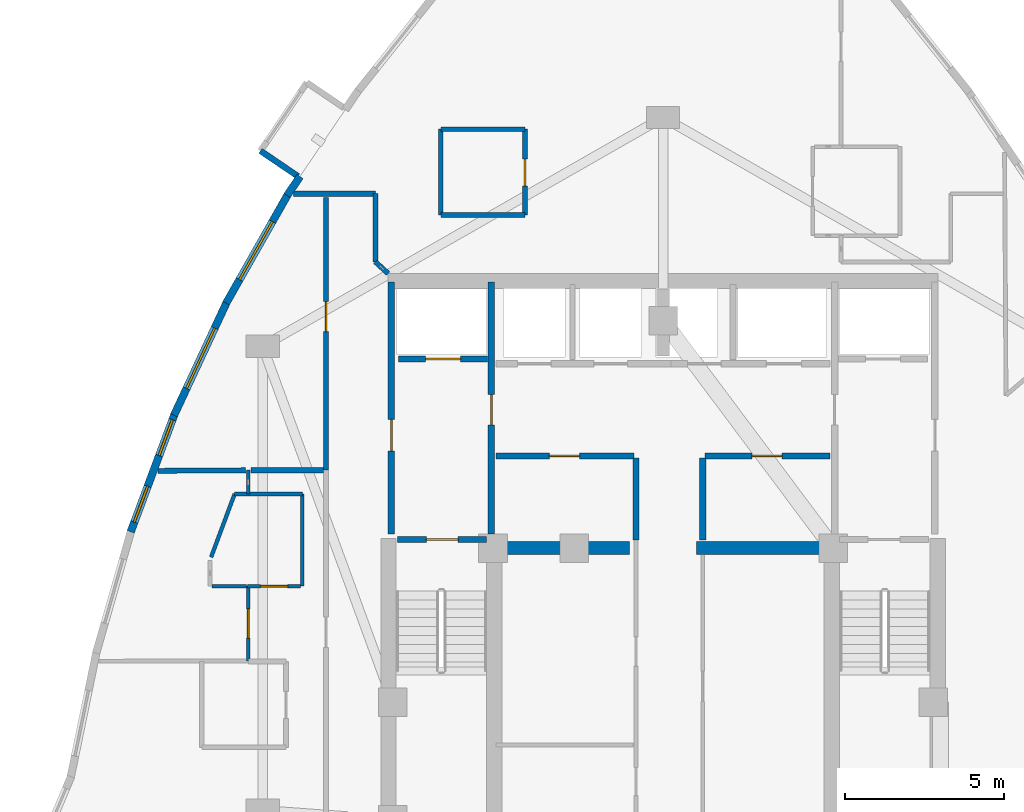
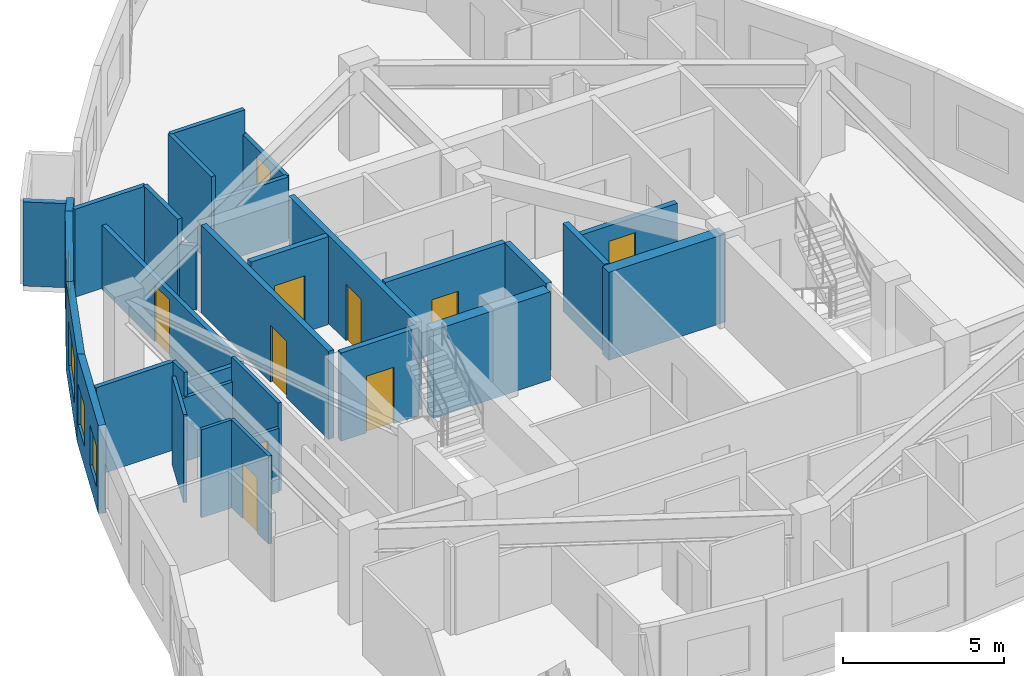
# One storey, part 9 of 13: 32 walls, 10 doors, 4 windows, 14 openings.
"""IFC4 building model written with IfcOpenShell, lengths in metres."""

from ifc_helpers import new_model, si_unit, direction, frame, frame_2d, origin, place, context, subcontext, project, spatial, rectangle, extrude, material, layer, layer_set, type_object, element, fill, save


model = new_model("IFC4")

# Units and contexts
model_context = context("Model", 3, precision=1e-05, world=origin(), true_north=direction((0.0, 1.0)))
body_context = subcontext(model_context, "Body", "Model", "MODEL_VIEW")
ifc_project = project(units=[si_unit("LENGTHUNIT", "METRE"), si_unit("AREAUNIT", "SQUARE_METRE"), si_unit("VOLUMEUNIT", "CUBIC_METRE"), si_unit("PLANEANGLEUNIT", "RADIAN"), si_unit("MASSUNIT", "GRAM", prefix="KILO")], contexts=[model_context])

# Site, building, storey
site_placement = place(None, origin())
site = spatial("IfcSite", under=ifc_project, at=site_placement, CompositionType="ELEMENT")
building_placement = place(site_placement, origin())
building = spatial("IfcBuilding", under=site, at=building_placement, Name="Miruveldt Soraemaru", CompositionType="ELEMENT")
storey_placement = place(building_placement, frame((0.0, 0.0, 205.199951171875)))
storey = spatial("IfcBuildingStorey", under=building, at=storey_placement, Name="L56", CompositionType="ELEMENT", Elevation=205.199951171875)

# Walls
ifc_material_1 = material(Name="White powder-coated aluminium EN AW-6060 T6", Category="aluminium")
ifc_layer_1 = layer(ifc_material_1, 0.18994140625, Name="White powder-coated aluminium EN AW-6060 T6", Category="aluminium")
ifc_layer_set_1 = layer_set([ifc_layer_1], Name="White powder-coated aluminium EN AW-6060 T6")
wall_type_1 = type_object("IfcWallType", Name="WALL-BAY-ALU190", PredefinedType="SOLIDWALL", material=ifc_layer_set_1)
wall_1_placement = place(storey_placement, frame((31.33349609375, 56.547119140625, 0.0), z_axis=(0.0, 0.0, 1.0), x_axis=(0.827862228344, -0.560931485016, 0.0)))
element("IfcWall", 1, at=wall_1_placement, inside=storey, type_object=wall_type_1, Name="L56 Bay Window Side Cheek 1R", PredefinedType="SOLIDWALL", context=body_context, shape_type="SweptSolid", body=[
    extrude(rectangle(XDim=1.425048828125, YDim=0.18994140625, at=frame_2d((0.71240234375, 0.0))), origin(), (0.0, 0.0, 1.0), 3.195068359375),
])
ifc_material_2 = material(Name="Concrete C70/85 (70 MPa)", Category="concrete")
ifc_layer_2 = layer(ifc_material_2, 0.5, Name="Concrete C70/85 (70 MPa)", Category="concrete")
ifc_layer_set_2 = layer_set([ifc_layer_2], Name="Concrete C70/85 (70 MPa)")
wall_type_2 = type_object("IfcWallType", Name="WALL-BW-500", PredefinedType="SHEAR", material=ifc_layer_set_2)
for number, where, z_axis, x_axis, name in (
    (2, (38.75, 44.050048828125, 0.0), (0.0, 0.0, 1.0), (1.0, 0.0, 0.0), "L56 Core Buttress Shear Wall BW"),
    (3, (45.050048828125, 44.050048828125, 0.0), (0.0, 0.0, 1.0), (1.0, 0.0, 0.0), "L56 Core Buttress Shear Wall BE"),
):
    element("IfcWall", number, at=place(storey_placement, frame(where, z_axis=z_axis, x_axis=x_axis)), inside=storey, type_object=wall_type_2, Name=name, PredefinedType="SHEAR", context=body_context, shape_type="SweptSolid", body=[
        extrude(rectangle(XDim=4.199951171875, YDim=0.39990234375, at=frame_2d((2.10009765625, 0.0))), origin(), (0.0, 0.0, 1.0), 3.344970703125),
    ])
ifc_material_3 = material(Name="Precast concrete C45/55 (45 MPa)", Category="concrete")
ifc_layer_3 = layer(ifc_material_3, 0.239990234375, Name="Precast concrete C45/55 (45 MPa)", Category="concrete")
ifc_layer_set_3 = layer_set([ifc_layer_3], Name="Precast concrete C45/55 (45 MPa)")
wall_type_3 = type_object("IfcWallType", Name="WALL-EXT-PC240", PredefinedType="SOLIDWALL", material=ifc_layer_set_3)
wall_2_placement = place(storey_placement, frame((32.575439453125, 55.74169921875, 0.0), z_axis=(0.0, 0.0, 1.0), x_axis=(-0.560765978718, -0.827974345685, 0.0)))
element("IfcWall", 4, at=wall_2_placement, inside=storey, type_object=wall_type_3, Name="L56 Precast Pier Wall 9B", PredefinedType="SOLIDWALL", context=body_context, shape_type="SweptSolid", body=[
    extrude(rectangle(XDim=0.72265625, YDim=0.239990234375, at=frame_2d((0.361328125, 0.0))), origin(), (0.0, 0.0, 1.0), 3.344970703125),
])

# Wall, opening, window
wall_3_placement = place(storey_placement, frame((32.20703125, 55.20263671875, 0.0), z_axis=(0.0, 0.0, 1.0), x_axis=(-0.493374910117, -0.869816761202, 0.0)))
wall_3 = element("IfcWall", 5, at=wall_3_placement, inside=storey, type_object=wall_type_3, Name="L56 Precast Concrete Facade Wall 10", PredefinedType="SOLIDWALL", context=body_context, shape_type="SweptSolid", body=[
    extrude(rectangle(XDim=3.960693359375, YDim=0.239990234375, at=frame_2d((1.98046875, 0.0))), origin(), (0.0, 0.0, 1.0), 3.344970703125),
])
opening_1_placement = place(wall_3_placement, frame((1.010986328125, 0.0, 0.800048828125)))
opening_1 = element("IfcOpeningElement", 6, at=opening_1_placement, cuts=wall_3, Name="Opening WN-1", PredefinedType="OPENING", context=body_context, shape_type="SweptSolid", body=[
    extrude(rectangle(XDim=2.10009765625, YDim=1.699951171875, at=frame_2d((1.050048828125, 0.85009765625))), frame((0.0, 0.1298828125, 0.0), z_axis=(0.0, -1.0, 0.0), x_axis=(1.0, 0.0, 0.0)), (0.0, 0.0, 1.0), 0.260009765625),
])
ifc_material_4 = material(Name="Triple low-e insulated glazing", Category="glass")
window_type_1 = type_object("IfcWindowType", Name="WIN-PUNCH-2100x1700", PartitioningType="SINGLE_PANEL", PredefinedType="WINDOW", material=ifc_material_4)
window_1_placement = place(opening_1_placement, origin())
window_1 = element("IfcWindow", 7, at=window_1_placement, inside=storey, type_object=window_type_1, Name="L56 Punched Triple-Glazed Window 10.1", OverallHeight=1.699951171875, OverallWidth=2.10009765625, PartitioningType="SINGLE_PANEL", PredefinedType="WINDOW", context=body_context, shape_type="SweptSolid", body=[
    extrude(rectangle(XDim=2.10009765625, YDim=1.699951171875, at=frame_2d((1.050048828125, 0.85009765625))), frame((0.0, 0.030029296875, 0.0), z_axis=(0.0, -1.0, 0.0), x_axis=(1.0, 0.0, 0.0)), (0.0, 0.0, 1.0), 0.06005859375),
])
fill(opening_1, window_1)

wall_4_placement = place(storey_placement, frame((30.28515625, 51.819580078125, 0.0), z_axis=(0.0, 0.0, 1.0), x_axis=(-0.422311701836, -0.906450675157, 0.0)))
wall_4 = element("IfcWall", 8, at=wall_4_placement, inside=storey, type_object=wall_type_3, Name="L56 Precast Concrete Facade Wall 11", PredefinedType="SOLIDWALL", context=body_context, shape_type="SweptSolid", body=[
    extrude(rectangle(XDim=3.960693359375, YDim=0.239990234375, at=frame_2d((1.98046875, 0.0))), origin(), (0.0, 0.0, 1.0), 3.344970703125),
])
opening_2_placement = place(wall_4_placement, frame((0.930908203125, 0.0, 0.800048828125)))
opening_2 = element("IfcOpeningElement", 9, at=opening_2_placement, cuts=wall_4, Name="Opening WN-1", PredefinedType="OPENING", context=body_context, shape_type="SweptSolid", body=[
    extrude(rectangle(XDim=2.10009765625, YDim=1.699951171875, at=frame_2d((1.050048828125, 0.85009765625))), frame((0.0, 0.1298828125, 0.0), z_axis=(0.0, -1.0, 0.0), x_axis=(1.0, 0.0, 0.0)), (0.0, 0.0, 1.0), 0.260009765625),
])
window_2_placement = place(opening_2_placement, origin())
window_2 = element("IfcWindow", 10, at=window_2_placement, inside=storey, type_object=window_type_1, Name="L56 Punched Triple-Glazed Window 11.1", OverallHeight=1.699951171875, OverallWidth=2.10009765625, PartitioningType="SINGLE_PANEL", PredefinedType="WINDOW", context=body_context, shape_type="SweptSolid", body=[
    extrude(rectangle(XDim=2.10009765625, YDim=1.699951171875, at=frame_2d((1.050048828125, 0.85009765625))), frame((0.0, 0.030029296875, 0.0), z_axis=(0.0, -1.0, 0.0), x_axis=(1.0, 0.0, 0.0)), (0.0, 0.0, 1.0), 0.06005859375),
])
fill(opening_2, window_2)

# Wall, openings, windows
wall_5_placement = place(storey_placement, frame((28.639404296875, 48.294189453125, 0.0), z_axis=(0.0, 0.0, 1.0), x_axis=(-0.348967690972, -0.937134755869, 0.0)))
wall_5 = element("IfcWall", 11, at=wall_5_placement, inside=storey, type_object=wall_type_3, Name="L56 Precast Concrete Facade Wall 12", PredefinedType="SOLIDWALL", context=body_context, shape_type="SweptSolid", body=[
    extrude(rectangle(XDim=3.985595703125, YDim=0.239990234375, at=frame_2d((1.99267578125, 0.0))), origin(), (0.0, 0.0, 1.0), 3.344970703125),
])
opening_3_placement = place(wall_5_placement, frame((0.222900390625, 0.0, 0.780029296875)))
opening_3 = element("IfcOpeningElement", 12, at=opening_3_placement, cuts=wall_5, Name="Opening WN-4", PredefinedType="OPENING", context=body_context, shape_type="SweptSolid", body=[
    extrude(rectangle(XDim=1.199951171875, YDim=1.550048828125, at=frame_2d((0.60009765625, 0.77490234375))), frame((0.0, 0.1298828125, 0.0), z_axis=(0.0, -1.0, 0.0), x_axis=(1.0, 0.0, 0.0)), (0.0, 0.0, 1.0), 0.260009765625),
])
opening_4_placement = place(wall_5_placement, frame((2.4560546875, 0.0, 0.780029296875)))
opening_4 = element("IfcOpeningElement", 13, at=opening_4_placement, cuts=wall_5, Name="Opening WN-4", PredefinedType="OPENING", context=body_context, shape_type="SweptSolid", body=[
    extrude(rectangle(XDim=1.199951171875, YDim=1.550048828125, at=frame_2d((0.60009765625, 0.77490234375))), frame((0.0, 0.1298828125, 0.0), z_axis=(0.0, -1.0, 0.0), x_axis=(1.0, 0.0, 0.0)), (0.0, 0.0, 1.0), 0.260009765625),
])
window_type_2 = type_object("IfcWindowType", Name="WIN-PUNCH-1200x1550", PartitioningType="SINGLE_PANEL", PredefinedType="WINDOW", material=ifc_material_4)
window_3_placement = place(opening_3_placement, origin())
window_3 = element("IfcWindow", 14, at=window_3_placement, inside=storey, type_object=window_type_2, Name="L56 Punched Triple-Glazed Window 12.1", OverallHeight=1.550048828125, OverallWidth=1.199951171875, PartitioningType="SINGLE_PANEL", PredefinedType="WINDOW", context=body_context, shape_type="SweptSolid", body=[
    extrude(rectangle(XDim=1.199951171875, YDim=1.550048828125, at=frame_2d((0.60009765625, 0.77490234375))), frame((0.0, 0.030029296875, 0.0), z_axis=(0.0, -1.0, 0.0), x_axis=(1.0, 0.0, 0.0)), (0.0, 0.0, 1.0), 0.06005859375),
])
fill(opening_3, window_3)
window_4_placement = place(opening_4_placement, origin())
window_4 = element("IfcWindow", 15, at=window_4_placement, inside=storey, type_object=window_type_2, Name="L56 Punched Triple-Glazed Window 12.2", OverallHeight=1.550048828125, OverallWidth=1.199951171875, PartitioningType="SINGLE_PANEL", PredefinedType="WINDOW", context=body_context, shape_type="SweptSolid", body=[
    extrude(rectangle(XDim=1.199951171875, YDim=1.550048828125, at=frame_2d((0.60009765625, 0.77490234375))), frame((0.0, 0.030029296875, 0.0), z_axis=(0.0, -1.0, 0.0), x_axis=(1.0, 0.0, 0.0)), (0.0, 0.0, 1.0), 0.06005859375),
])
fill(opening_4, window_4)

# Wall, opening, door
ifc_material_5 = material(Name="Gypsum plasterboard lining", Category="gypsum")
ifc_layer_4 = layer(ifc_material_5, 0.1201171875, Name="Gypsum plasterboard lining", Category="gypsum")
ifc_layer_set_4 = layer_set([ifc_layer_4], Name="Gypsum plasterboard lining")
wall_type_4 = type_object("IfcWallType", Name="WALL-INT-P120", PredefinedType="PARTITIONING", material=ifc_layer_set_4)
wall_6_placement = place(storey_placement, frame((30.949951171875, 42.85009765625, 0.0), z_axis=(0.0, 0.0, 1.0), x_axis=(0.0, -1.0, 0.0)))
wall_6 = element("IfcWall", 16, at=wall_6_placement, inside=storey, type_object=wall_type_4, Name="L56 Partition Wall 39", PredefinedType="PARTITIONING", context=body_context, shape_type="SweptSolid", body=[
    extrude(rectangle(XDim=2.34814453125, YDim=0.1201171875, at=frame_2d((1.174072265625, 0.0))), origin(), (0.0, 0.0, 1.0), 3.344970703125),
])
opening_5_placement = place(wall_6_placement, frame((0.714111328125, 0.0, 0.0)))
opening_5 = element("IfcOpeningElement", 17, at=opening_5_placement, cuts=wall_6, Name="Opening D3A", PredefinedType="OPENING", context=body_context, shape_type="SweptSolid", body=[
    extrude(rectangle(XDim=0.919921875, YDim=2.10009765625, at=frame_2d((0.4599609375, 1.050048828125))), frame((0.0, 0.070068359375, 0.0), z_axis=(0.0, -1.0, 0.0), x_axis=(1.0, 0.0, 0.0)), (0.0, 0.0, 1.0), 0.14013671875),
])
ifc_material_6 = material(Name="Anodised aluminium EN AW-6063 T6", Category="aluminium")
door_type_1 = type_object("IfcDoorType", Name="DOOR-INT-920", OperationType="NOTDEFINED", PredefinedType="DOOR", material=ifc_material_6)
door_1_placement = place(opening_5_placement, origin())
door_1 = element("IfcDoor", 18, at=door_1_placement, inside=storey, type_object=door_type_1, Name="L56 Unit 5603 BD1 Door", OperationType="SINGLE_SWING_LEFT", OverallHeight=2.10009765625, OverallWidth=0.919921875, PredefinedType="DOOR", context=body_context, shape_type="SweptSolid", body=[
    extrude(rectangle(XDim=0.919921875, YDim=2.10009765625, at=frame_2d((0.4599609375, 1.050048828125))), frame((0.0, 0.02490234375, 0.0), z_axis=(0.0, -1.0, 0.0), x_axis=(1.0, 0.0, 0.0)), (0.0, 0.0, 1.0), 0.050048828125),
])
fill(opening_5, door_1)

wall_7_placement = place(storey_placement, frame((32.590087890625, 42.85009765625, 0.0), z_axis=(0.0, 0.0, 1.0), x_axis=(-1.0, 0.0, 0.0)))
wall_7 = element("IfcWall", 19, at=wall_7_placement, inside=storey, type_object=wall_type_4, Name="L56 Partition Wall 36", PredefinedType="PARTITIONING", context=body_context, shape_type="SweptSolid", body=[
    extrude(rectangle(XDim=1.670166015625, YDim=0.1201171875, at=frame_2d((0.8349609375, 0.0))), origin(), (0.0, 0.0, 1.0), 2.43310546875),
])
opening_6_placement = place(wall_7_placement, frame((0.405029296875, 0.0, 0.0)))
opening_6 = element("IfcOpeningElement", 20, at=opening_6_placement, cuts=wall_7, Name="Opening FD3", PredefinedType="OPENING", context=body_context, shape_type="SweptSolid", body=[
    extrude(rectangle(XDim=0.85009765625, YDim=2.10009765625, at=frame_2d((0.425048828125, 1.050048828125))), frame((0.0, 0.070068359375, 0.0), z_axis=(0.0, -1.0, 0.0), x_axis=(1.0, 0.0, 0.0)), (0.0, 0.0, 1.0), 0.14013671875),
])
door_type_2 = type_object("IfcDoorType", Name="DOOR-FD3-850", OperationType="NOTDEFINED", PredefinedType="DOOR", material=ifc_material_6)
door_2_placement = place(opening_6_placement, origin())
door_2 = element("IfcDoor", 21, at=door_2_placement, inside=storey, type_object=door_type_2, Name="L56 Unit 5603 KIT Door", OperationType="SINGLE_SWING_RIGHT", OverallHeight=2.10009765625, OverallWidth=0.85009765625, PredefinedType="DOOR", context=body_context, shape_type="SweptSolid", body=[
    extrude(rectangle(XDim=0.85009765625, YDim=2.10009765625, at=frame_2d((0.425048828125, 1.050048828125))), frame((0.0, 0.02490234375, 0.0), z_axis=(0.0, -1.0, 0.0), x_axis=(1.0, 0.0, 0.0)), (0.0, 0.0, 1.0), 0.050048828125),
])
fill(opening_6, door_2)

# Walls
wall_8_placement = place(storey_placement, frame((32.64990234375, 45.75, 0.0), z_axis=(0.0, 0.0, 1.0), x_axis=(0.0, -1.0, 0.0)))
element("IfcWall", 22, at=wall_8_placement, inside=storey, type_object=wall_type_4, Name="L56 Partition Wall 37", PredefinedType="PARTITIONING", context=body_context, shape_type="SweptSolid", body=[
    extrude(rectangle(XDim=2.89990234375, YDim=0.1201171875, at=frame_2d((1.449951171875, 0.0))), origin(), (0.0, 0.0, 1.0), 3.344970703125),
])
wall_9_placement = place(storey_placement, frame((30.52001953125, 45.75, 0.0), z_axis=(0.0, 0.0, 1.0), x_axis=(1.0, 0.0, 0.0)))
element("IfcWall", 23, at=wall_9_placement, inside=storey, type_object=wall_type_4, Name="L56 Partition Wall 62", PredefinedType="PARTITIONING", context=body_context, shape_type="SweptSolid", body=[
    extrude(rectangle(XDim=2.1298828125, YDim=0.1201171875, at=frame_2d((1.06494140625, 0.0))), origin(), (0.0, 0.0, 1.0), 2.43310546875),
])
wall_10_placement = place(storey_placement, frame((30.52001953125, 45.75, 0.0), z_axis=(0.0, 0.0, 1.0), x_axis=(-0.3491407566, -0.937070291964, 0.0)))
element("IfcWall", 24, at=wall_10_placement, inside=storey, type_object=wall_type_4, Name="L56 Partition Wall 40", PredefinedType="PARTITIONING", context=body_context, shape_type="SweptSolid", body=[
    extrude(rectangle(XDim=2.119384765625, YDim=0.1201171875, at=frame_2d((1.0595703125, 0.0))), origin(), (0.0, 0.0, 1.0), 3.344970703125),
])
wall_11_placement = place(storey_placement, frame((29.81005859375, 42.85009765625, 0.0), z_axis=(0.0, 0.0, 1.0), x_axis=(1.0, 0.0, 0.0)))
element("IfcWall", 25, at=wall_11_placement, inside=storey, type_object=wall_type_4, Name="L56 Partition Wall 42", PredefinedType="PARTITIONING", context=body_context, shape_type="SweptSolid", body=[
    extrude(rectangle(XDim=1.079833984375, YDim=0.1201171875, at=frame_2d((0.5400390625, 0.0))), origin(), (0.0, 0.0, 1.0), 3.344970703125),
])
wall_12_placement = place(storey_placement, frame((30.949951171875, 46.5, 0.0), z_axis=(0.0, 0.0, 1.0), x_axis=(0.0, -1.0, 0.0)))
element("IfcWall", 26, at=wall_12_placement, inside=storey, type_object=wall_type_4, Name="L56 Partition Wall 38", PredefinedType="PARTITIONING", context=body_context, shape_type="SweptSolid", body=[
    extrude(rectangle(XDim=0.75, YDim=0.1201171875, at=frame_2d((0.375, 0.0))), origin(), (0.0, 0.0, 1.0), 3.344970703125),
])

# Wall, opening, door
ifc_layer_5 = layer(ifc_material_5, 0.14990234375, Name="Gypsum plasterboard lining", Category="gypsum")
ifc_layer_set_5 = layer_set([ifc_layer_5], Name="Gypsum plasterboard lining")
wall_type_5 = type_object("IfcWallType", Name="WALL-INT-PLUMB", PredefinedType="PLUMBINGWALL", material=ifc_layer_set_5)
wall_13_placement = place(storey_placement, frame((39.656982421875, 54.530029296875, 0.0), z_axis=(0.0, 0.0, 1.0), x_axis=(0.0, 1.0, 0.0)))
wall_13 = element("IfcWall", 27, at=wall_13_placement, inside=storey, type_object=wall_type_5, Name="L56 Partition Wall 12", PredefinedType="PLUMBINGWALL", context=body_context, shape_type="SweptSolid", body=[
    extrude(rectangle(XDim=2.699951171875, YDim=0.14990234375, at=frame_2d((1.35009765625, 0.0))), origin(), (0.0, 0.0, 1.0), 2.43310546875),
])
opening_7_placement = place(wall_13_placement, frame((0.909912109375, 0.0, 0.0)))
opening_7 = element("IfcOpeningElement", 28, at=opening_7_placement, cuts=wall_13, Name="Opening FD3", PredefinedType="OPENING", context=body_context, shape_type="SweptSolid", body=[
    extrude(rectangle(XDim=0.85009765625, YDim=2.10009765625, at=frame_2d((0.425048828125, 1.050048828125))), frame((0.0, 0.0849609375, 0.0), z_axis=(0.0, -1.0, 0.0), x_axis=(1.0, 0.0, 0.0)), (0.0, 0.0, 1.0), 0.169921875),
])
door_3_placement = place(opening_7_placement, origin())
door_3 = element("IfcDoor", 29, at=door_3_placement, inside=storey, type_object=door_type_2, Name="L56 Unit 5601 BTH Door", OperationType="SINGLE_SWING_RIGHT", OverallHeight=2.10009765625, OverallWidth=0.85009765625, PredefinedType="DOOR", context=body_context, shape_type="SweptSolid", body=[
    extrude(rectangle(XDim=0.85009765625, YDim=2.10009765625, at=frame_2d((0.425048828125, 1.050048828125))), frame((0.0, 0.02490234375, 0.0), z_axis=(0.0, -1.0, 0.0), x_axis=(1.0, 0.0, 0.0)), (0.0, 0.0, 1.0), 0.050048828125),
])
fill(opening_7, door_3)

# Walls
wall_14_placement = place(storey_placement, frame((37.007080078125, 57.22998046875, 0.0), z_axis=(0.0, 0.0, 1.0), x_axis=(0.0, -1.0, 0.0)))
element("IfcWall", 30, at=wall_14_placement, inside=storey, type_object=wall_type_5, Name="L56 Partition Wall 14", PredefinedType="PLUMBINGWALL", context=body_context, shape_type="SweptSolid", body=[
    extrude(rectangle(XDim=2.699951171875, YDim=0.14990234375, at=frame_2d((1.35009765625, 0.0))), origin(), (0.0, 0.0, 1.0), 3.344970703125),
])
wall_15_placement = place(storey_placement, frame((39.656982421875, 57.22998046875, 0.0), z_axis=(0.0, 0.0, 1.0), x_axis=(-1.0, 0.0, 0.0)))
element("IfcWall", 31, at=wall_15_placement, inside=storey, type_object=wall_type_5, Name="L56 Partition Wall 13", PredefinedType="PLUMBINGWALL", context=body_context, shape_type="SweptSolid", body=[
    extrude(rectangle(XDim=2.64990234375, YDim=0.14990234375, at=frame_2d((1.324951171875, 0.0))), origin(), (0.0, 0.0, 1.0), 3.344970703125),
])
wall_16_placement = place(storey_placement, frame((37.007080078125, 54.530029296875, 0.0), z_axis=(0.0, 0.0, 1.0), x_axis=(1.0, 0.0, 0.0)))
element("IfcWall", 32, at=wall_16_placement, inside=storey, type_object=wall_type_5, Name="L56 Partition Wall 15", PredefinedType="PLUMBINGWALL", context=body_context, shape_type="SweptSolid", body=[
    extrude(rectangle(XDim=2.64990234375, YDim=0.14990234375, at=frame_2d((1.324951171875, 0.0))), origin(), (0.0, 0.0, 1.0), 2.43310546875),
])

# Wall, opening, door
ifc_material_7 = material(Name="Concrete C40/50 (40 MPa)", Category="concrete")
ifc_layer_6 = layer(ifc_material_7, 0.159912109375, Name="Concrete C40/50 (40 MPa)", Category="concrete")
ifc_layer_set_6 = layer_set([ifc_layer_6], Name="Concrete C40/50 (40 MPa)")
wall_type_6 = type_object("IfcWallType", Name="WALL-INT-RC160", PredefinedType="SOLIDWALL", material=ifc_layer_set_6)
wall_17_placement = place(storey_placement, frame((33.39990234375, 55.080078125, 0.0), z_axis=(0.0, 0.0, 1.0), x_axis=(0.0, -1.0, 0.0)))
wall_17 = element("IfcWall", 33, at=wall_17_placement, inside=storey, type_object=wall_type_6, Name="L56 Partition Wall 3", PredefinedType="SOLIDWALL", context=body_context, shape_type="SweptSolid", body=[
    extrude(rectangle(XDim=8.5751953125, YDim=0.159912109375, at=frame_2d((4.28759765625, 0.0))), origin(), (0.0, 0.0, 1.0), 2.43310546875),
])
opening_8_placement = place(wall_17_placement, frame((3.27197265625, 0.0, 0.0)))
opening_8 = element("IfcOpeningElement", 34, at=opening_8_placement, cuts=wall_17, Name="Opening FD2", PredefinedType="OPENING", context=body_context, shape_type="SweptSolid", body=[
    extrude(rectangle(XDim=0.949951171875, YDim=2.14990234375, at=frame_2d((0.47509765625, 1.074951171875))), frame((0.0, 0.08984375, 0.0), z_axis=(0.0, -1.0, 0.0), x_axis=(1.0, 0.0, 0.0)), (0.0, 0.0, 1.0), 0.179931640625),
])
door_type_3 = type_object("IfcDoorType", Name="DOOR-FD2-950", OperationType="NOTDEFINED", PredefinedType="DOOR", material=ifc_material_6)
door_4_placement = place(opening_8_placement, origin())
door_4 = element("IfcDoor", 35, at=door_4_placement, inside=storey, type_object=door_type_3, Name="L56 Unit 5601 Entrance Fire Door", OperationType="SINGLE_SWING_LEFT", OverallHeight=2.14990234375, OverallWidth=0.949951171875, PredefinedType="DOOR", context=body_context, shape_type="SweptSolid", body=[
    extrude(rectangle(XDim=0.949951171875, YDim=2.14990234375, at=frame_2d((0.47509765625, 1.074951171875))), frame((0.0, 0.02490234375, 0.0), z_axis=(0.0, -1.0, 0.0), x_axis=(1.0, 0.0, 0.0)), (0.0, 0.0, 1.0), 0.050048828125),
])
fill(opening_8, door_4)

# Walls
wall_18_placement = place(storey_placement, frame((28.10791015625, 46.48095703125, 0.0), z_axis=(0.0, 0.0, 1.0), x_axis=(0.999978611163, 0.006540429311, 0.0)))
element("IfcWall", 36, at=wall_18_placement, inside=storey, type_object=wall_type_6, Name="L56 Partition Wall 22", PredefinedType="SOLIDWALL", context=body_context, shape_type="SweptSolid", body=[
    extrude(rectangle(XDim=2.76220703125, YDim=0.159912109375, at=frame_2d((1.381103515625, 0.0))), origin(), (0.0, 0.0, 1.0), 3.344970703125),
])
wall_19_placement = place(storey_placement, frame((34.949951171875, 55.199951171875, 0.0), z_axis=(0.0, 0.0, 1.0), x_axis=(-1.0, 0.0, 0.0)))
element("IfcWall", 37, at=wall_19_placement, inside=storey, type_object=wall_type_6, Name="L56 Partition Wall 2", PredefinedType="SOLIDWALL", context=body_context, shape_type="SweptSolid", body=[
    extrude(rectangle(XDim=2.577880859375, YDim=0.159912109375, at=frame_2d((1.2890625, 0.0))), origin(), (0.0, 0.0, 1.0), 3.344970703125),
])
wall_20_placement = place(storey_placement, frame((31.030029296875, 46.5, 0.0), z_axis=(0.0, 0.0, 1.0), x_axis=(1.0, 0.0, 0.0)))
element("IfcWall", 38, at=wall_20_placement, inside=storey, type_object=wall_type_6, Name="L56 Partition Wall 21", PredefinedType="SOLIDWALL", context=body_context, shape_type="SweptSolid", body=[
    extrude(rectangle(XDim=2.2900390625, YDim=0.159912109375, at=frame_2d((1.14501953125, 0.0))), origin(), (0.0, 0.0, 1.0), 2.43310546875),
])
wall_21_placement = place(storey_placement, frame((34.949951171875, 53.054931640625, 0.0), z_axis=(0.0, 0.0, 1.0), x_axis=(0.0, 1.0, 0.0)))
element("IfcWall", 39, at=wall_21_placement, inside=storey, type_object=wall_type_6, Name="L56 Partition Wall 1", PredefinedType="SOLIDWALL", context=body_context, shape_type="SweptSolid", body=[
    extrude(rectangle(XDim=2.14501953125, YDim=0.159912109375, at=frame_2d((1.072509765625, 0.0))), origin(), (0.0, 0.0, 1.0), 3.344970703125),
])
wall_22_placement = place(storey_placement, frame((34.949951171875, 53.054931640625, 0.0), z_axis=(0.0, 0.0, 1.0), x_axis=(0.738817210736, -0.673905875565, 0.0)))
element("IfcWall", 40, at=wall_22_placement, inside=storey, type_object=wall_type_6, Name="L56 Partition Closure Return 1", PredefinedType="SOLIDWALL", context=body_context, shape_type="SweptSolid", body=[
    extrude(rectangle(XDim=0.54150390625, YDim=0.159912109375, at=frame_2d((0.270751953125, 0.0))), origin(), (0.0, 0.0, 1.0), 2.43310546875),
])

# Wall, opening, door
ifc_layer_7 = layer(ifc_material_7, 0.199951171875, Name="Concrete C40/50 (40 MPa)", Category="concrete")
ifc_layer_set_7 = layer_set([ifc_layer_7], Name="Concrete C40/50 (40 MPa)")
wall_type_7 = type_object("IfcWallType", Name="WALL-INT-RC200", PredefinedType="SOLIDWALL", material=ifc_layer_set_7)
wall_23_placement = place(storey_placement, frame((35.449951171875, 44.5, 0.0), z_axis=(0.0, 0.0, 1.0), x_axis=(0.0, 1.0, 0.0)))
wall_23 = element("IfcWall", 41, at=wall_23_placement, inside=storey, type_object=wall_type_7, Name="L56 Core Compartment Wall FFW-OUT", PredefinedType="SOLIDWALL", context=body_context, shape_type="SweptSolid", body=[
    extrude(rectangle(XDim=7.919921875, YDim=0.199951171875, at=frame_2d((3.9599609375, 0.0))), origin(), (0.0, 0.0, 1.0), 3.344970703125),
])
opening_9_placement = place(wall_23_placement, frame((2.60009765625, 0.0, 0.0)))
opening_9 = element("IfcOpeningElement", 42, at=opening_9_placement, cuts=wall_23, Name="Opening FD1", PredefinedType="OPENING", context=body_context, shape_type="SweptSolid", body=[
    extrude(rectangle(XDim=1.0, YDim=2.14990234375, at=frame_2d((0.5, 1.074951171875))), frame((0.0, 0.10986328125, 0.0), z_axis=(0.0, -1.0, 0.0), x_axis=(1.0, 0.0, 0.0)), (0.0, 0.0, 1.0), 0.219970703125),
])
door_type_4 = type_object("IfcDoorType", Name="DOOR-FD1-1000", OperationType="NOTDEFINED", PredefinedType="DOOR", material=ifc_material_6)
door_5_placement = place(opening_9_placement, origin())
door_5 = element("IfcDoor", 43, at=door_5_placement, inside=storey, type_object=door_type_4, Name="L56 West Firefighting Lobby Exit Door", OperationType="SINGLE_SWING_LEFT", OverallHeight=2.14990234375, OverallWidth=1.0, PredefinedType="DOOR", context=body_context, shape_type="SweptSolid", body=[
    extrude(rectangle(XDim=1.0, YDim=2.14990234375, at=frame_2d((0.5, 1.074951171875))), frame((0.0, 0.02490234375, 0.0), z_axis=(0.0, -1.0, 0.0), x_axis=(1.0, 0.0, 0.0)), (0.0, 0.0, 1.0), 0.050048828125),
])
fill(opening_9, door_5)

wall_24_placement = place(storey_placement, frame((38.60009765625, 44.5, 0.0), z_axis=(0.0, 0.0, 1.0), x_axis=(0.0, 1.0, 0.0)))
wall_24 = element("IfcWall", 44, at=wall_24_placement, inside=storey, type_object=wall_type_7, Name="L56 Core Compartment Wall FFW-IN", PredefinedType="SOLIDWALL", context=body_context, shape_type="SweptSolid", body=[
    extrude(rectangle(XDim=7.919921875, YDim=0.199951171875, at=frame_2d((3.9599609375, 0.0))), origin(), (0.0, 0.0, 1.0), 3.344970703125),
])
opening_10_placement = place(wall_24_placement, frame((3.425048828125, 0.0, 0.0)))
opening_10 = element("IfcOpeningElement", 45, at=opening_10_placement, cuts=wall_24, Name="Opening FD2", PredefinedType="OPENING", context=body_context, shape_type="SweptSolid", body=[
    extrude(rectangle(XDim=0.949951171875, YDim=2.14990234375, at=frame_2d((0.47509765625, 1.074951171875))), frame((0.0, 0.10986328125, 0.0), z_axis=(0.0, -1.0, 0.0), x_axis=(1.0, 0.0, 0.0)), (0.0, 0.0, 1.0), 0.219970703125),
])
door_6_placement = place(opening_10_placement, frame((0.949951171875, 0.0, 0.0), z_axis=(0.0, 0.0, 1.0), x_axis=(-1.0, 0.0, 0.0)))
door_6 = element("IfcDoor", 46, at=door_6_placement, inside=storey, type_object=door_type_3, Name="L56 Lift Lobby to West Fire Lobby Door", OperationType="SINGLE_SWING_RIGHT", OverallHeight=2.14990234375, OverallWidth=0.949951171875, PredefinedType="DOOR", context=body_context, shape_type="SweptSolid", body=[
    extrude(rectangle(XDim=0.949951171875, YDim=2.14990234375, at=frame_2d((0.47509765625, 1.074951171875))), frame((0.0, 0.02490234375, 0.0), z_axis=(0.0, -1.0, 0.0), x_axis=(1.0, 0.0, 0.0)), (0.0, 0.0, 1.0), 0.050048828125),
])
fill(opening_10, door_6)

wall_25_placement = place(storey_placement, frame((38.75, 46.949951171875, 0.0), z_axis=(0.0, 0.0, 1.0), x_axis=(1.0, 0.0, 0.0)))
wall_25 = element("IfcWall", 47, at=wall_25_placement, inside=storey, type_object=wall_type_7, Name="L56 Core Compartment Wall MBW-N", PredefinedType="SOLIDWALL", context=body_context, shape_type="SweptSolid", body=[
    extrude(rectangle(XDim=4.330078125, YDim=0.199951171875, at=frame_2d((2.1650390625, 0.0))), origin(), (0.0, 0.0, 1.0), 3.344970703125),
])
opening_11_placement = place(wall_25_placement, frame((1.675048828125, 0.0, 0.0)))
opening_11 = element("IfcOpeningElement", 48, at=opening_11_placement, cuts=wall_25, Name="Opening D2", PredefinedType="OPENING", context=body_context, shape_type="SweptSolid", body=[
    extrude(rectangle(XDim=0.949951171875, YDim=2.10009765625, at=frame_2d((0.47509765625, 1.050048828125))), frame((0.0, 0.10986328125, 0.0), z_axis=(0.0, -1.0, 0.0), x_axis=(1.0, 0.0, 0.0)), (0.0, 0.0, 1.0), 0.219970703125),
])
door_type_5 = type_object("IfcDoorType", Name="DOOR-INT-950", OperationType="NOTDEFINED", PredefinedType="DOOR", material=ifc_material_6)
door_7_placement = place(opening_11_placement, origin())
door_7 = element("IfcDoor", 49, at=door_7_placement, inside=storey, type_object=door_type_5, Name="L56 Fire Door", OperationType="SINGLE_SWING_LEFT", OverallHeight=2.10009765625, OverallWidth=0.949951171875, PredefinedType="DOOR", context=body_context, shape_type="SweptSolid", body=[
    extrude(rectangle(XDim=0.949951171875, YDim=2.10009765625, at=frame_2d((0.47509765625, 1.050048828125))), frame((0.0, 0.02490234375, 0.0), z_axis=(0.0, -1.0, 0.0), x_axis=(1.0, 0.0, 0.0)), (0.0, 0.0, 1.0), 0.050048828125),
])
fill(opening_11, door_7)

wall_26_placement = place(storey_placement, frame((45.320068359375, 46.949951171875, 0.0), z_axis=(0.0, 0.0, 1.0), x_axis=(1.0, 0.0, 0.0)))
wall_26 = element("IfcWall", 50, at=wall_26_placement, inside=storey, type_object=wall_type_7, Name="L56 Core Compartment Wall MBE-N", PredefinedType="SOLIDWALL", context=body_context, shape_type="SweptSolid", body=[
    extrude(rectangle(XDim=3.929931640625, YDim=0.199951171875, at=frame_2d((1.96484375, 0.0))), origin(), (0.0, 0.0, 1.0), 2.68310546875),
])
opening_12_placement = place(wall_26_placement, frame((1.47509765625, 0.0, 0.0)))
opening_12 = element("IfcOpeningElement", 51, at=opening_12_placement, cuts=wall_26, Name="Opening D2", PredefinedType="OPENING", context=body_context, shape_type="SweptSolid", body=[
    extrude(rectangle(XDim=0.949951171875, YDim=2.10009765625, at=frame_2d((0.47509765625, 1.050048828125))), frame((0.0, 0.10986328125, 0.0), z_axis=(0.0, -1.0, 0.0), x_axis=(1.0, 0.0, 0.0)), (0.0, 0.0, 1.0), 0.219970703125),
])
door_8_placement = place(opening_12_placement, origin())
door_8 = element("IfcDoor", 52, at=door_8_placement, inside=storey, type_object=door_type_5, Name="L56 Fire Door", OperationType="SINGLE_SWING_LEFT", OverallHeight=2.10009765625, OverallWidth=0.949951171875, PredefinedType="DOOR", context=body_context, shape_type="SweptSolid", body=[
    extrude(rectangle(XDim=0.949951171875, YDim=2.10009765625, at=frame_2d((0.47509765625, 1.050048828125))), frame((0.0, 0.02490234375, 0.0), z_axis=(0.0, -1.0, 0.0), x_axis=(1.0, 0.0, 0.0)), (0.0, 0.0, 1.0), 0.050048828125),
])
fill(opening_12, door_8)

wall_27_placement = place(storey_placement, frame((35.64990234375, 44.320068359375, 0.0), z_axis=(0.0, 0.0, 1.0), x_axis=(1.0, 0.0, 0.0)))
wall_27 = element("IfcWall", 53, at=wall_27_placement, inside=storey, type_object=wall_type_7, Name="L56 Core Compartment Wall ST1-N", PredefinedType="SOLIDWALL", context=body_context, shape_type="SweptSolid", body=[
    extrude(rectangle(XDim=2.800048828125, YDim=0.199951171875, at=frame_2d((1.39990234375, 0.0))), origin(), (0.0, 0.0, 1.0), 3.344970703125),
])
opening_13_placement = place(wall_27_placement, frame((0.89990234375, 0.0, 0.0)))
opening_13 = element("IfcOpeningElement", 54, at=opening_13_placement, cuts=wall_27, Name="Opening FD1", PredefinedType="OPENING", context=body_context, shape_type="SweptSolid", body=[
    extrude(rectangle(XDim=1.0, YDim=2.14990234375, at=frame_2d((0.5, 1.074951171875))), frame((0.0, 0.10986328125, 0.0), z_axis=(0.0, -1.0, 0.0), x_axis=(1.0, 0.0, 0.0)), (0.0, 0.0, 1.0), 0.219970703125),
])
door_9_placement = place(opening_13_placement, frame((1.0, 0.0, 0.0), z_axis=(0.0, 0.0, 1.0), x_axis=(-1.0, 0.0, 0.0)))
door_9 = element("IfcDoor", 55, at=door_9_placement, inside=storey, type_object=door_type_4, Name="L56 Stair ST-1 Fire Door", OperationType="SINGLE_SWING_LEFT", OverallHeight=2.14990234375, OverallWidth=1.0, PredefinedType="DOOR", context=body_context, shape_type="SweptSolid", body=[
    extrude(rectangle(XDim=1.0, YDim=2.14990234375, at=frame_2d((0.5, 1.074951171875))), frame((0.0, 0.02490234375, 0.0), z_axis=(0.0, -1.0, 0.0), x_axis=(1.0, 0.0, 0.0)), (0.0, 0.0, 1.0), 0.050048828125),
])
fill(opening_13, door_9)

wall_28_placement = place(storey_placement, frame((35.679931640625, 50.0, 0.0), z_axis=(0.0, 0.0, 1.0), x_axis=(1.0, 0.0, 0.0)))
wall_28 = element("IfcWall", 56, at=wall_28_placement, inside=storey, type_object=wall_type_7, Name="L56 Core Compartment Wall FFL1-S", PredefinedType="SOLIDWALL", context=body_context, shape_type="SweptSolid", body=[
    extrude(rectangle(XDim=2.800048828125, YDim=0.199951171875, at=frame_2d((1.39990234375, 0.0))), origin(), (0.0, 0.0, 1.0), 3.344970703125),
])
opening_14_placement = place(wall_28_placement, frame((0.85009765625, 0.0, 0.0)))
opening_14 = element("IfcOpeningElement", 57, at=opening_14_placement, cuts=wall_28, Name="Opening LD2", PredefinedType="OPENING", context=body_context, shape_type="SweptSolid", body=[
    extrude(rectangle(XDim=1.10009765625, YDim=2.14990234375, at=frame_2d((0.550048828125, 1.074951171875))), frame((0.0, 0.10986328125, 0.0), z_axis=(0.0, -1.0, 0.0), x_axis=(1.0, 0.0, 0.0)), (0.0, 0.0, 1.0), 0.219970703125),
])
door_type_6 = type_object("IfcDoorType", Name="DOOR-LD2-1100", OperationType="SLIDING_TO_LEFT", PredefinedType="DOOR", material=ifc_material_6)
door_10_placement = place(opening_14_placement, origin())
door_10 = element("IfcDoor", 58, at=door_10_placement, inside=storey, type_object=door_type_6, Name="L56 FFL-1 Landing Door", OperationType="SLIDING_TO_LEFT", OverallHeight=2.14990234375, OverallWidth=1.10009765625, PredefinedType="DOOR", context=body_context, shape_type="SweptSolid", body=[
    extrude(rectangle(XDim=1.10009765625, YDim=2.14990234375, at=frame_2d((0.550048828125, 1.074951171875))), frame((0.0, 0.02490234375, 0.0), z_axis=(0.0, -1.0, 0.0), x_axis=(1.0, 0.0, 0.0)), (0.0, 0.0, 1.0), 0.050048828125),
])
fill(opening_14, door_10)

# Walls
for number, where, z_axis, x_axis, name in (
    (59, (43.14990234375, 44.300048828125, 0.0), (0.0, 0.0, 1.0), (0.0, 1.0, 0.0), "L56 Core Compartment Wall SP-WB"),
    (60, (45.25, 44.300048828125, 0.0), (0.0, 0.0, 1.0), (0.0, 1.0, 0.0), "L56 Core Compartment Wall SP-EB"),
):
    element("IfcWall", number, at=place(storey_placement, frame(where, z_axis=z_axis, x_axis=x_axis)), inside=storey, type_object=wall_type_7, Name=name, PredefinedType="SOLIDWALL", context=body_context, shape_type="SweptSolid", body=[
        extrude(rectangle(XDim=2.579833984375, YDim=0.199951171875, at=frame_2d((1.2900390625, 0.0))), origin(), (0.0, 0.0, 1.0), 3.344970703125),
    ])

save(model, "model.ifc")
